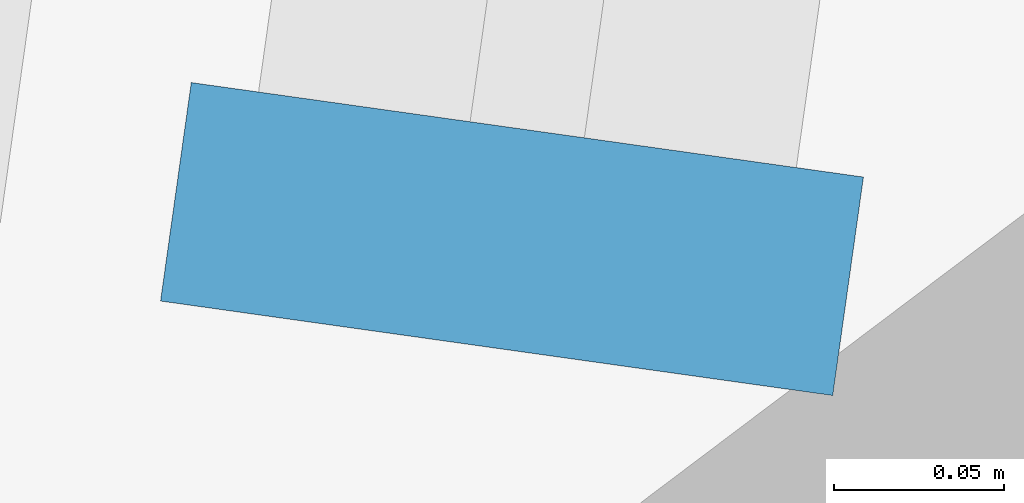
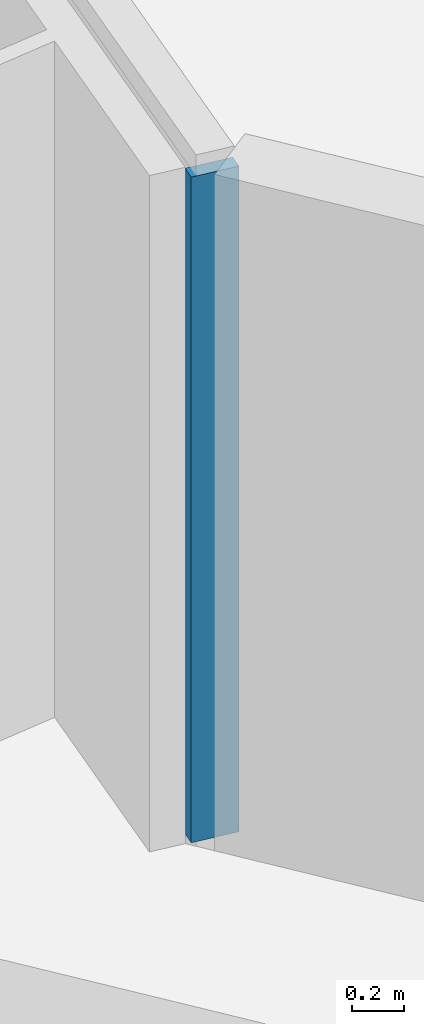
# One storey, part 2 of 33: 1 member, 1 element without a shape of its own.
"""IFC4 building model written with IfcOpenShell, lengths in metres."""

from ifc_helpers import new_model, si_unit, direction, frame, origin, origin_2d, place, context, subcontext, project, spatial, rectangle, extrude, material, material_profile, profile_set, type_object, element, aggregate, save


model = new_model("IFC4")

# Units and contexts
model_context = context("Model", 3, precision=1e-05, world=origin(), true_north=direction((0.0, 1.0)))
body_context = subcontext(model_context, "Body", "Model", "MODEL_VIEW")
ifc_project = project(units=[si_unit("LENGTHUNIT", "METRE"), si_unit("AREAUNIT", "SQUARE_METRE"), si_unit("VOLUMEUNIT", "CUBIC_METRE"), si_unit("PLANEANGLEUNIT", "RADIAN"), si_unit("MASSUNIT", "GRAM", prefix="KILO")], contexts=[model_context])

# Site, building, storey
site_placement = place(None, origin())
site = spatial("IfcSite", under=ifc_project, at=site_placement, CompositionType="ELEMENT")
building_placement = place(site_placement, origin())
building = spatial("IfcBuilding", under=site, at=building_placement, Name="Mirante Cascada Hotel Towers", CompositionType="ELEMENT")
storey_placement = place(building_placement, frame((0.0, 0.0, 121.5)))
storey = spatial("IfcBuildingStorey", under=building, at=storey_placement, Name="L27", CompositionType="ELEMENT", Elevation=121.5)

# Curtain wall, member
ifc_material_1 = material(Name="Aluminium mullion and transom frame with clear laminated glass", Category="aluminium")
curtain_wall_type = type_object("IfcCurtainWallType", Name="End ribbon curtain wall ECW2", PredefinedType="NOTDEFINED", material=ifc_material_1)
curtain_wall_placement = place(storey_placement, origin())
curtain_wall = element("IfcCurtainWall", 1, at=curtain_wall_placement, inside=storey, type_object=curtain_wall_type, Name="Outer end wall T1 L27", PredefinedType="NOTDEFINED")
ifc_material_2 = material(Name="Anodised aluminium extrusion", Category="aluminium")
ifc_material_profile = material_profile(ifc_material_2, rectangle(XDim=0.2, YDim=0.065, at=origin_2d()), Name="ECW2 MULLION 65x200")
ifc_profile_set = profile_set([ifc_material_profile], Name="Anodised aluminium extrusion")
member_type = type_object("IfcMemberType", Name="ECW2 mullion 65x200", PredefinedType="MULLION", material=ifc_profile_set)
member_placement = place(storey_placement, frame((-103.1556, -6.2656, 0.1), z_axis=(0.0, 0.0, 1.0), x_axis=(-0.9902681, 0.1391731, 0.0)))
member = element("IfcMember", 2, at=member_placement, type_object=member_type, Name="ECW2 mullion 1", PredefinedType="MULLION", context=body_context, shape_type="SweptSolid", body=[
    extrude(rectangle(XDim=0.2, YDim=0.065, at=origin_2d()), origin(), (0.0, 0.0, 1.0), 3.15),
])
aggregate(curtain_wall, [member])

save(model, "model.ifc")
